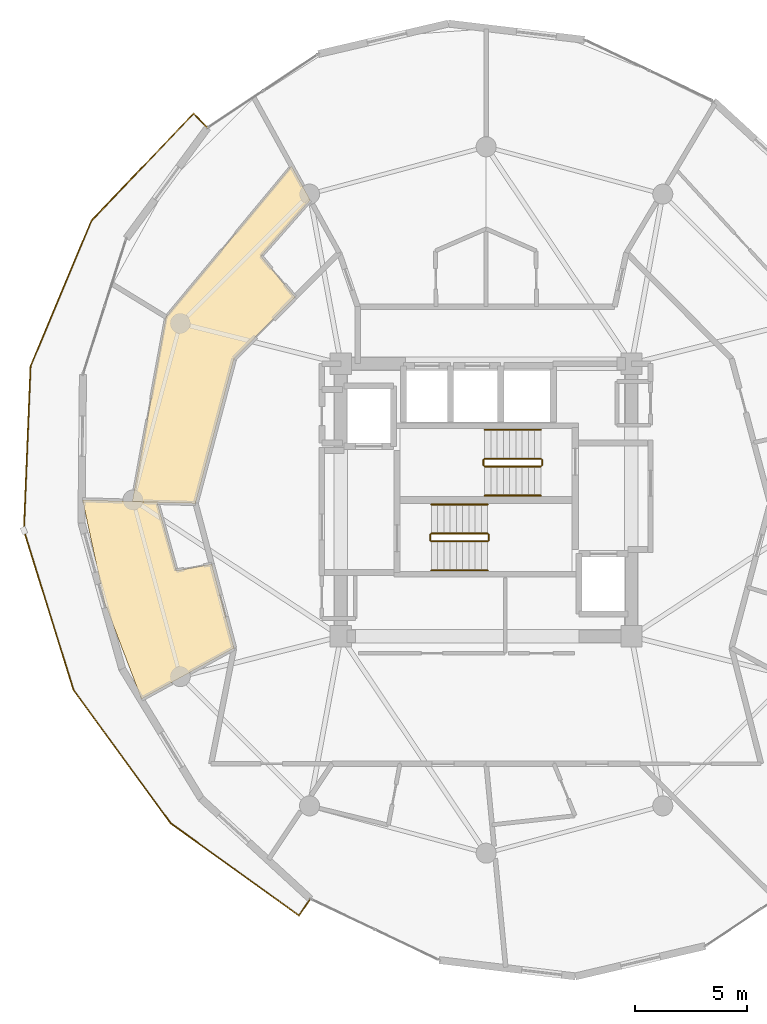
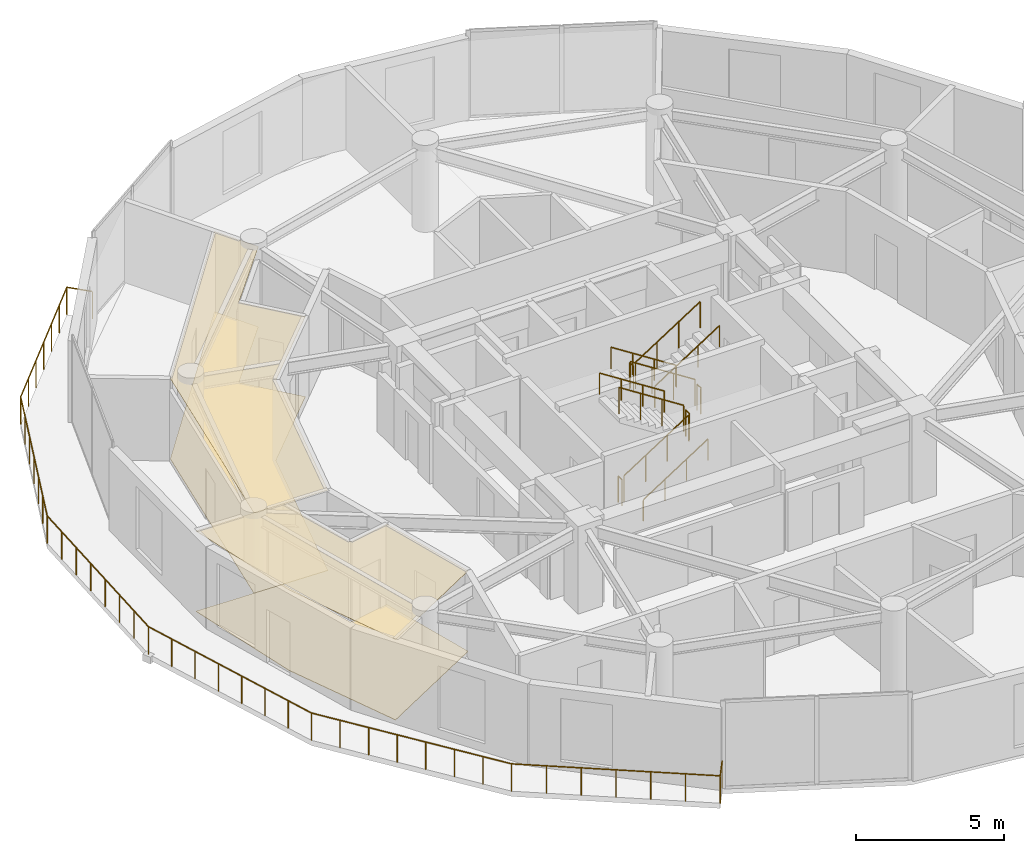
# One storey, part 19 of 20: 13 railings, 4 coverings.
"""IFC4 building model written with IfcOpenShell, lengths in metres."""

from ifc_helpers import new_model, si_unit, direction, frame, origin, origin_2d, place, context, subcontext, project, spatial, polyline, circle, outline, extrude, material, layer, layer_set, type_object, element, save


model = new_model("IFC4")

# Units and contexts
model_context = context("Model", 3, precision=1e-05, world=origin(), true_north=direction((0.0, 1.0)))
body_context = subcontext(model_context, "Body", "Model", "MODEL_VIEW")
ifc_project = project(units=[si_unit("LENGTHUNIT", "METRE"), si_unit("AREAUNIT", "SQUARE_METRE"), si_unit("VOLUMEUNIT", "CUBIC_METRE"), si_unit("PLANEANGLEUNIT", "RADIAN"), si_unit("MASSUNIT", "GRAM", prefix="KILO")], contexts=[model_context])

# Site, building, storey
site_placement = place(None, origin())
site = spatial("IfcSite", under=ifc_project, at=site_placement, CompositionType="ELEMENT")
building_placement = place(site_placement, origin())
building = spatial("IfcBuilding", under=site, at=building_placement, Name="Solvirekh Grand Hotel", CompositionType="ELEMENT")
storey_placement = place(building_placement, frame((0.0, 0.0, 209.199951171875)))
storey = spatial("IfcBuildingStorey", under=building, at=storey_placement, Name="L54", CompositionType="ELEMENT", Elevation=209.199951171875)

# Coverings
ifc_material_1 = material(Name="Acoustic Mineral Ceiling Tile")
ifc_layer_1 = layer(ifc_material_1, 0.02490234375)
ifc_layer_set_1 = layer_set([ifc_layer_1], Name="Acoustic Mineral Ceiling Tile")
covering_type_1 = type_object("IfcCoveringType", Name="Cov_Ceiling_Acoustic", PredefinedType="CEILING", material=ifc_layer_set_1)
covering_1_placement = place(storey_placement, frame((0.0, 0.0, 3.31005859375)))
element("IfcCovering", 1, at=covering_1_placement, inside=storey, type_object=covering_type_1, Name="L54 Executive Suite 5603 Living Room acoustic ceiling", PredefinedType="CEILING", context=body_context, shape_type="SweptSolid", body=[
    extrude(outline(polyline([(-10.076904296875, 10.9130859375), (-7.8701171875, 13.4169921875), (-8.70703125, 14.93994140625), (-14.320068359375, 8.18603515625), (-15.8291015625, -0.06591796875), (-13.0, -0.14990234375), (-11.278076171875, 6.324951171875), (-8.550048828125, 9.073974609375), (-10.076904296875, 10.9130859375)])), origin(), (0.0, 0.0, 1.0), 0.01806640625),
])
covering_2_placement = place(storey_placement, frame((0.0, 0.0, 3.31005859375)))
element("IfcCovering", 2, at=covering_2_placement, inside=storey, type_object=covering_type_1, Name="L54 Deluxe Guestroom 5604 acoustic ceiling", PredefinedType="CEILING", context=body_context, shape_type="SweptSolid", body=[
    extrude(outline(polyline([(-13.864013671875, -3.1640625), (-14.718017578125, -0.09912109375), (-18.052001953125, 0.0), (-17.071044921875, -4.573974609375), (-15.41796875, -8.90087890625), (-11.278076171875, -6.625), (-12.277099609375, -2.868896484375), (-13.864013671875, -3.1640625)])), origin(), (0.0, 0.0, 1.0), 0.01806640625),
])
ifc_material_2 = material(Name="Porcelain Stoneware Flooring", Category="masonry")
ifc_layer_2 = layer(ifc_material_2, 0.030029296875)
ifc_layer_set_2 = layer_set([ifc_layer_2], Name="Porcelain Stoneware Flooring")
covering_type_2 = type_object("IfcCoveringType", Name="Cov_Floor_Stone", PredefinedType="FLOORING", material=ifc_layer_set_2)
covering_3_placement = place(storey_placement, origin())
element("IfcCovering", 3, at=covering_3_placement, inside=storey, type_object=covering_type_2, Name="L54 Executive Suite 5603 Living Room polished granite flooring", PredefinedType="FLOORING", context=body_context, shape_type="SweptSolid", body=[
    extrude(outline(polyline([(-10.076904296875, 10.9130859375), (-7.8701171875, 13.4169921875), (-8.70703125, 14.93994140625), (-14.320068359375, 8.18603515625), (-15.8291015625, -0.06591796875), (-13.0, -0.14990234375), (-11.278076171875, 6.324951171875), (-8.550048828125, 9.073974609375), (-10.076904296875, 10.9130859375)])), origin(), (0.0, 0.0, 1.0), 0.02001953125),
])
covering_4_placement = place(storey_placement, origin())
element("IfcCovering", 4, at=covering_4_placement, inside=storey, type_object=covering_type_2, Name="L54 Deluxe Guestroom 5604 polished granite flooring", PredefinedType="FLOORING", context=body_context, shape_type="SweptSolid", body=[
    extrude(outline(polyline([(-13.864013671875, -3.1640625), (-14.718017578125, -0.09912109375), (-18.052001953125, 0.0), (-17.071044921875, -4.573974609375), (-15.41796875, -8.90087890625), (-11.278076171875, -6.625), (-12.277099609375, -2.868896484375), (-13.864013671875, -3.1640625)])), origin(), (0.0, 0.0, 1.0), 0.02001953125),
])

# Railings
ifc_material_3 = material(Name="Anodized Bronze Aluminium 6063-T6", Category="aluminium")
railing_type_1 = type_object("IfcRailingType", Name="Guard_ExtGlass_1150", PredefinedType="BALUSTRADE", material=ifc_material_3)
railing_1_placement = place(storey_placement, frame((-12.465087890625, 16.64306640625, 0.0)))
element("IfcRailing", 5, at=railing_1_placement, inside=storey, type_object=railing_type_1, Name="L54 balc perimeter glass balustrade", PredefinedType="BALUSTRADE", context=body_context, shape_type="SweptSolid", body=[
    extrude(circle(Radius=0.02392578125, at=origin_2d()), frame((0.0, 0.0, 1.1259765625), z_axis=(-0.693141232376, 0.720801797987, 0.0), x_axis=(-0.720801797987, -0.693141232376, 0.0)), (0.0, 0.0, 1.0), 0.900390625),
    extrude(circle(Radius=0.02392578125, at=origin_2d()), frame((-0.6240234375, 0.64892578125, 1.1259765625), z_axis=(-0.689373649883, -0.724405943409, 0.0), x_axis=(0.724405943409, -0.689373649883, 0.0)), (0.0, 0.0, 1.0), 6.62744140625),
    extrude(circle(Radius=0.02392578125, at=origin_2d()), frame((-5.19287109375, -4.152099609375, 1.1259765625), z_axis=(-0.386165481979, -0.922429520629, 0.0), x_axis=(0.922429520629, -0.386165481979, 0.0)), (0.0, 0.0, 1.0), 7.05419921875),
    extrude(circle(Radius=0.02392578125, at=origin_2d()), frame((-7.9169921875, -10.6591796875, 1.1259765625), z_axis=(-0.040496966442, -0.999179661377, 0.0), x_axis=(0.999179661377, -0.040496966442, 0.0)), (0.0, 0.0, 1.0), 7.35498046875),
    extrude(circle(Radius=0.02392578125, at=origin_2d()), frame((-8.21484375, -18.008056640625, 1.1259765625), z_axis=(0.297134716085, -0.954835567256, 0.0), x_axis=(0.954835567256, 0.297134716085, 0.0)), (0.0, 0.0, 1.0), 7.474609375),
    extrude(circle(Radius=0.02392578125, at=origin_2d()), frame((-5.993896484375, -25.14501953125, 1.1259765625), z_axis=(0.589380955129, -0.807855240579, 0.0), x_axis=(0.807855240579, 0.589380955129, 0.0)), (0.0, 0.0, 1.0), 7.378662109375),
    extrude(circle(Radius=0.02392578125, at=origin_2d()), frame((-1.64501953125, -31.10595703125, 1.1259765625), z_axis=(0.811833695812, -0.583888731134, 0.0), x_axis=(0.583888731134, 0.811833695812, 0.0)), (0.0, 0.0, 1.0), 7.06689453125),
    extrude(circle(Radius=0.02392578125, at=origin_2d()), frame((4.092041015625, -35.232177734375, 1.1259765625), z_axis=(0.561872537153, 0.827223822186, 0.0), x_axis=(-0.827223822186, 0.561872537153, 0.0)), (0.0, 0.0, 1.0), 0.900634765625),
    extrude(circle(Radius=0.02099609375, at=origin_2d()), origin(), (0.0, 0.0, 1.0), 1.101806640625),
    extrude(circle(Radius=0.02099609375, at=origin_2d()), frame((-0.6240234375, 0.64892578125, 0.0)), (0.0, 0.0, 1.0), 1.101806640625),
    extrude(circle(Radius=0.02099609375, at=origin_2d()), frame((-1.385498046875, -0.1513671875, 0.0)), (0.0, 0.0, 1.0), 1.101806640625),
    extrude(circle(Radius=0.02099609375, at=origin_2d()), frame((-2.14697265625, -0.951416015625, 0.0)), (0.0, 0.0, 1.0), 1.101806640625),
    extrude(circle(Radius=0.02099609375, at=origin_2d()), frame((-2.908447265625, -1.75146484375, 0.0)), (0.0, 0.0, 1.0), 1.101806640625),
    extrude(circle(Radius=0.02099609375, at=origin_2d()), frame((-3.669921875, -2.5517578125, 0.0)), (0.0, 0.0, 1.0), 1.101806640625),
    extrude(circle(Radius=0.02099609375, at=origin_2d()), frame((-4.431396484375, -3.35205078125, 0.0)), (0.0, 0.0, 1.0), 1.101806640625),
    extrude(circle(Radius=0.02099609375, at=origin_2d()), frame((-5.19287109375, -4.152099609375, 0.0)), (0.0, 0.0, 1.0), 1.101806640625),
    extrude(circle(Radius=0.02099609375, at=origin_2d()), frame((-5.64697265625, -5.236572265625, 0.0)), (0.0, 0.0, 1.0), 1.101806640625),
    extrude(circle(Radius=0.02099609375, at=origin_2d()), frame((-6.100830078125, -6.321044921875, 0.0)), (0.0, 0.0, 1.0), 1.101806640625),
    extrude(circle(Radius=0.02099609375, at=origin_2d()), frame((-6.554931640625, -7.40576171875, 0.0)), (0.0, 0.0, 1.0), 1.101806640625),
    extrude(circle(Radius=0.02099609375, at=origin_2d()), frame((-7.009033203125, -8.490234375, 0.0)), (0.0, 0.0, 1.0), 1.101806640625),
    extrude(circle(Radius=0.02099609375, at=origin_2d()), frame((-7.462890625, -9.57470703125, 0.0)), (0.0, 0.0, 1.0), 1.101806640625),
    extrude(circle(Radius=0.02099609375, at=origin_2d()), frame((-7.9169921875, -10.6591796875, 0.0)), (0.0, 0.0, 1.0), 1.101806640625),
    extrude(circle(Radius=0.02099609375, at=origin_2d()), frame((-7.95947265625, -11.708984375, 0.0)), (0.0, 0.0, 1.0), 1.101806640625),
    extrude(circle(Radius=0.02099609375, at=origin_2d()), frame((-8.002197265625, -12.7587890625, 0.0)), (0.0, 0.0, 1.0), 1.101806640625),
    extrude(circle(Radius=0.02099609375, at=origin_2d()), frame((-8.044677734375, -13.80859375, 0.0)), (0.0, 0.0, 1.0), 1.101806640625),
    extrude(circle(Radius=0.02099609375, at=origin_2d()), frame((-8.087158203125, -14.858642578125, 0.0)), (0.0, 0.0, 1.0), 1.101806640625),
    extrude(circle(Radius=0.02099609375, at=origin_2d()), frame((-8.129638671875, -15.908447265625, 0.0)), (0.0, 0.0, 1.0), 1.101806640625),
    extrude(circle(Radius=0.02099609375, at=origin_2d()), frame((-8.17236328125, -16.958251953125, 0.0)), (0.0, 0.0, 1.0), 1.101806640625),
    extrude(circle(Radius=0.02099609375, at=origin_2d()), frame((-8.21484375, -18.008056640625, 0.0)), (0.0, 0.0, 1.0), 1.101806640625),
    extrude(circle(Radius=0.02099609375, at=origin_2d()), frame((-7.8974609375, -19.027587890625, 0.0)), (0.0, 0.0, 1.0), 1.101806640625),
    extrude(circle(Radius=0.02099609375, at=origin_2d()), frame((-7.580322265625, -20.047119140625, 0.0)), (0.0, 0.0, 1.0), 1.101806640625),
    extrude(circle(Radius=0.02099609375, at=origin_2d()), frame((-7.262939453125, -21.066650390625, 0.0)), (0.0, 0.0, 1.0), 1.101806640625),
    extrude(circle(Radius=0.02099609375, at=origin_2d()), frame((-6.94580078125, -22.08642578125, 0.0)), (0.0, 0.0, 1.0), 1.101806640625),
    extrude(circle(Radius=0.02099609375, at=origin_2d()), frame((-6.62841796875, -23.10595703125, 0.0)), (0.0, 0.0, 1.0), 1.101806640625),
    extrude(circle(Radius=0.02099609375, at=origin_2d()), frame((-6.311279296875, -24.12548828125, 0.0)), (0.0, 0.0, 1.0), 1.101806640625),
    extrude(circle(Radius=0.02099609375, at=origin_2d()), frame((-5.993896484375, -25.14501953125, 0.0)), (0.0, 0.0, 1.0), 1.101806640625),
    extrude(circle(Radius=0.02099609375, at=origin_2d()), frame((-5.37255859375, -25.99658203125, 0.0)), (0.0, 0.0, 1.0), 1.101806640625),
    extrude(circle(Radius=0.02099609375, at=origin_2d()), frame((-4.75146484375, -26.84814453125, 0.0)), (0.0, 0.0, 1.0), 1.101806640625),
    extrude(circle(Radius=0.02099609375, at=origin_2d()), frame((-4.130126953125, -27.69970703125, 0.0)), (0.0, 0.0, 1.0), 1.101806640625),
    extrude(circle(Radius=0.02099609375, at=origin_2d()), frame((-3.5087890625, -28.55126953125, 0.0)), (0.0, 0.0, 1.0), 1.101806640625),
    extrude(circle(Radius=0.02099609375, at=origin_2d()), frame((-2.887451171875, -29.40283203125, 0.0)), (0.0, 0.0, 1.0), 1.101806640625),
    extrude(circle(Radius=0.02099609375, at=origin_2d()), frame((-2.266357421875, -30.25439453125, 0.0)), (0.0, 0.0, 1.0), 1.101806640625),
    extrude(circle(Radius=0.02099609375, at=origin_2d()), frame((-1.64501953125, -31.10595703125, 0.0)), (0.0, 0.0, 1.0), 1.101806640625),
    extrude(circle(Radius=0.02099609375, at=origin_2d()), frame((-0.68896484375, -31.793701171875, 0.0)), (0.0, 0.0, 1.0), 1.101806640625),
    extrude(circle(Radius=0.02099609375, at=origin_2d()), frame((0.267333984375, -32.4814453125, 0.0)), (0.0, 0.0, 1.0), 1.101806640625),
    extrude(circle(Radius=0.02099609375, at=origin_2d()), frame((1.2236328125, -33.1689453125, 0.0)), (0.0, 0.0, 1.0), 1.101806640625),
    extrude(circle(Radius=0.02099609375, at=origin_2d()), frame((2.1796875, -33.856689453125, 0.0)), (0.0, 0.0, 1.0), 1.101806640625),
    extrude(circle(Radius=0.02099609375, at=origin_2d()), frame((3.1357421875, -34.54443359375, 0.0)), (0.0, 0.0, 1.0), 1.101806640625),
    extrude(circle(Radius=0.02099609375, at=origin_2d()), frame((4.092041015625, -35.232177734375, 0.0)), (0.0, 0.0, 1.0), 1.101806640625),
    extrude(circle(Radius=0.02099609375, at=origin_2d()), frame((4.59814453125, -34.487060546875, 0.0)), (0.0, 0.0, 1.0), 1.101806640625),
])
ifc_material_4 = material(Name="Steel S355", Category="steel")
railing_type_2 = type_object("IfcRailingType", Name="Guard_Stair_1100", PredefinedType="GUARDRAIL", material=ifc_material_4)
railing_2_placement = place(storey_placement, frame((-2.449951171875, -1.85009765625, 0.179931640625)))
element("IfcRailing", 6, at=railing_2_placement, inside=storey, type_object=railing_type_2, Name="L54 ST-1 stair guard 1", PredefinedType="GUARDRAIL", context=body_context, shape_type="SweptSolid", body=[
    extrude(circle(Radius=0.02392578125, at=origin_2d()), frame((0.0, 0.0, 1.076171875), z_axis=(0.841162588446, 0.0, 0.540782303519), x_axis=(0.0, 1.0, 0.0)), (0.0, 0.0, 1.0), 2.995849609375),
    extrude(circle(Radius=0.02099609375, at=origin_2d()), origin(), (0.0, 0.0, 1.0), 1.052001953125),
    extrude(circle(Radius=0.02099609375, at=origin_2d()), frame((0.840087890625, 0.0, 0.5400390625)), (0.0, 0.0, 1.0), 1.052001953125),
    extrude(circle(Radius=0.02099609375, at=origin_2d()), frame((1.679931640625, 0.0, 1.080078125)), (0.0, 0.0, 1.0), 1.052001953125),
    extrude(circle(Radius=0.02099609375, at=origin_2d()), frame((2.52001953125, 0.0, 1.6201171875)), (0.0, 0.0, 1.0), 1.052001953125),
])
railing_3_placement = place(storey_placement, frame((0.1201171875, -1.800048828125, 1.800048828125)))
element("IfcRailing", 7, at=railing_3_placement, inside=storey, type_object=railing_type_2, Name="L54 ST-1 stair guard 2", PredefinedType="GUARDRAIL", context=body_context, shape_type="SweptSolid", body=[
    extrude(circle(Radius=0.02392578125, at=origin_2d()), frame((0.0, 0.0, 1.076171875), z_axis=(0.0, 1.0, 0.0), x_axis=(-1.0, 0.0, 0.0)), (0.0, 0.0, 1.0), 0.25),
    extrude(circle(Radius=0.02099609375, at=origin_2d()), origin(), (0.0, 0.0, 1.0), 1.052001953125),
    extrude(circle(Radius=0.02099609375, at=origin_2d()), frame((0.0, 0.25, 0.0)), (0.0, 0.0, 1.0), 1.052001953125),
])
railing_4_placement = place(storey_placement, frame((0.070068359375, -1.5, 1.97998046875)))
element("IfcRailing", 8, at=railing_4_placement, inside=storey, type_object=railing_type_2, Name="L54 ST-1 stair guard 3", PredefinedType="GUARDRAIL", context=body_context, shape_type="SweptSolid", body=[
    extrude(circle(Radius=0.02392578125, at=origin_2d()), frame((0.0, 0.0, 1.076171875), z_axis=(-0.841162588446, 0.0, 0.540782303519), x_axis=(0.0, -1.0, 0.0)), (0.0, 0.0, 1.0), 2.995849609375),
    extrude(circle(Radius=0.02099609375, at=origin_2d()), origin(), (0.0, 0.0, 1.0), 1.052001953125),
    extrude(circle(Radius=0.02099609375, at=origin_2d()), frame((-0.840087890625, 0.0, 0.5400390625)), (0.0, 0.0, 1.0), 1.052001953125),
    extrude(circle(Radius=0.02099609375, at=origin_2d()), frame((-1.679931640625, 0.0, 1.080078125)), (0.0, 0.0, 1.0), 1.052001953125),
    extrude(circle(Radius=0.02099609375, at=origin_2d()), frame((-2.52001953125, 0.0, 1.6201171875)), (0.0, 0.0, 1.0), 1.052001953125),
])
railing_5_placement = place(storey_placement, frame((-2.5, -1.800048828125, 0.0)))
element("IfcRailing", 9, at=railing_5_placement, inside=storey, type_object=railing_type_2, Name="L54 ST-1 stair guard 4", PredefinedType="GUARDRAIL", context=body_context, shape_type="SweptSolid", body=[
    extrude(circle(Radius=0.02392578125, at=origin_2d()), frame((0.0, 0.0, 1.076171875), z_axis=(0.0, 1.0, 0.0), x_axis=(-1.0, 0.0, 0.0)), (0.0, 0.0, 1.0), 0.25),
    extrude(circle(Radius=0.02099609375, at=origin_2d()), origin(), (0.0, 0.0, 1.0), 1.052001953125),
    extrude(circle(Radius=0.02099609375, at=origin_2d()), frame((0.0, 0.25, 0.0)), (0.0, 0.0, 1.0), 1.052001953125),
])
railing_6_placement = place(storey_placement, frame((2.449951171875, 1.85009765625, 0.179931640625)))
element("IfcRailing", 10, at=railing_6_placement, inside=storey, type_object=railing_type_2, Name="L54 ST-2 stair guard 1", PredefinedType="GUARDRAIL", context=body_context, shape_type="SweptSolid", body=[
    extrude(circle(Radius=0.02392578125, at=origin_2d()), frame((0.0, 0.0, 1.076171875), z_axis=(-0.841162588446, 0.0, 0.540782303519), x_axis=(0.0, -1.0, 0.0)), (0.0, 0.0, 1.0), 2.995849609375),
    extrude(circle(Radius=0.02099609375, at=origin_2d()), origin(), (0.0, 0.0, 1.0), 1.052001953125),
    extrude(circle(Radius=0.02099609375, at=origin_2d()), frame((-0.840087890625, 0.0, 0.5400390625)), (0.0, 0.0, 1.0), 1.052001953125),
    extrude(circle(Radius=0.02099609375, at=origin_2d()), frame((-1.679931640625, 0.0, 1.080078125)), (0.0, 0.0, 1.0), 1.052001953125),
    extrude(circle(Radius=0.02099609375, at=origin_2d()), frame((-2.52001953125, 0.0, 1.6201171875)), (0.0, 0.0, 1.0), 1.052001953125),
])
railing_7_placement = place(storey_placement, frame((-0.1201171875, 1.800048828125, 1.800048828125)))
element("IfcRailing", 11, at=railing_7_placement, inside=storey, type_object=railing_type_2, Name="L54 ST-2 stair guard 2", PredefinedType="GUARDRAIL", context=body_context, shape_type="SweptSolid", body=[
    extrude(circle(Radius=0.02392578125, at=origin_2d()), frame((0.0, 0.0, 1.076171875), z_axis=(0.0, -1.0, 0.0), x_axis=(1.0, 0.0, 0.0)), (0.0, 0.0, 1.0), 0.25),
    extrude(circle(Radius=0.02099609375, at=origin_2d()), origin(), (0.0, 0.0, 1.0), 1.052001953125),
    extrude(circle(Radius=0.02099609375, at=origin_2d()), frame((0.0, -0.25, 0.0)), (0.0, 0.0, 1.0), 1.052001953125),
])
railing_8_placement = place(storey_placement, frame((-0.070068359375, 1.5, 1.97998046875)))
element("IfcRailing", 12, at=railing_8_placement, inside=storey, type_object=railing_type_2, Name="L54 ST-2 stair guard 3", PredefinedType="GUARDRAIL", context=body_context, shape_type="SweptSolid", body=[
    extrude(circle(Radius=0.02392578125, at=origin_2d()), frame((0.0, 0.0, 1.076171875), z_axis=(0.841162588446, 0.0, 0.540782303519), x_axis=(0.0, 1.0, 0.0)), (0.0, 0.0, 1.0), 2.995849609375),
    extrude(circle(Radius=0.02099609375, at=origin_2d()), origin(), (0.0, 0.0, 1.0), 1.052001953125),
    extrude(circle(Radius=0.02099609375, at=origin_2d()), frame((0.840087890625, 0.0, 0.5400390625)), (0.0, 0.0, 1.0), 1.052001953125),
    extrude(circle(Radius=0.02099609375, at=origin_2d()), frame((1.679931640625, 0.0, 1.080078125)), (0.0, 0.0, 1.0), 1.052001953125),
    extrude(circle(Radius=0.02099609375, at=origin_2d()), frame((2.52001953125, 0.0, 1.6201171875)), (0.0, 0.0, 1.0), 1.052001953125),
])
railing_9_placement = place(storey_placement, frame((2.5, 1.800048828125, 0.0)))
element("IfcRailing", 13, at=railing_9_placement, inside=storey, type_object=railing_type_2, Name="L54 ST-2 stair guard 4", PredefinedType="GUARDRAIL", context=body_context, shape_type="SweptSolid", body=[
    extrude(circle(Radius=0.02392578125, at=origin_2d()), frame((0.0, 0.0, 1.076171875), z_axis=(0.0, -1.0, 0.0), x_axis=(1.0, 0.0, 0.0)), (0.0, 0.0, 1.0), 0.25),
    extrude(circle(Radius=0.02099609375, at=origin_2d()), origin(), (0.0, 0.0, 1.0), 1.052001953125),
    extrude(circle(Radius=0.02099609375, at=origin_2d()), frame((0.0, -0.25, 0.0)), (0.0, 0.0, 1.0), 1.052001953125),
])
railing_type_3 = type_object("IfcRailingType", Name="Handrail_Wall_900", PredefinedType="HANDRAIL", material=ifc_material_3)
railing_10_placement = place(storey_placement, frame((-2.449951171875, -3.14990234375, 0.179931640625)))
element("IfcRailing", 14, at=railing_10_placement, inside=storey, type_object=railing_type_3, Name="L54 ST-1 stair handrail 1", PredefinedType="HANDRAIL", context=body_context, shape_type="SweptSolid", body=[
    extrude(circle(Radius=0.02392578125, at=origin_2d()), frame((0.0, 0.0, 0.8759765625), z_axis=(0.841162588446, 0.0, 0.540782303519), x_axis=(0.0, 1.0, 0.0)), (0.0, 0.0, 1.0), 2.995849609375),
    extrude(circle(Radius=0.02099609375, at=origin_2d()), origin(), (0.0, 0.0, 1.0), 0.851806640625),
    extrude(circle(Radius=0.02099609375, at=origin_2d()), frame((0.840087890625, 0.0, 0.5400390625)), (0.0, 0.0, 1.0), 0.851806640625),
    extrude(circle(Radius=0.02099609375, at=origin_2d()), frame((1.679931640625, 0.0, 1.080078125)), (0.0, 0.0, 1.0), 0.851806640625),
    extrude(circle(Radius=0.02099609375, at=origin_2d()), frame((2.52001953125, 0.0, 1.6201171875)), (0.0, 0.0, 1.0), 0.851806640625),
])
for number, where, name in (
    (15, (0.070068359375, -0.199951171875, 1.97998046875), "L54 ST-1 stair handrail 2"),
    (16, (2.449951171875, 3.14990234375, 0.179931640625), "L54 ST-2 stair handrail 1"),
):
    element("IfcRailing", number, at=place(storey_placement, frame(where)), inside=storey, type_object=railing_type_3, Name=name, PredefinedType="HANDRAIL", context=body_context, shape_type="SweptSolid", body=[
        extrude(circle(Radius=0.02392578125, at=origin_2d()), frame((0.0, 0.0, 0.8759765625), z_axis=(-0.841162588446, 0.0, 0.540782303519), x_axis=(0.0, -1.0, 0.0)), (0.0, 0.0, 1.0), 2.995849609375),
        extrude(circle(Radius=0.02099609375, at=origin_2d()), origin(), (0.0, 0.0, 1.0), 0.851806640625),
        extrude(circle(Radius=0.02099609375, at=origin_2d()), frame((-0.840087890625, 0.0, 0.5400390625)), (0.0, 0.0, 1.0), 0.851806640625),
        extrude(circle(Radius=0.02099609375, at=origin_2d()), frame((-1.679931640625, 0.0, 1.080078125)), (0.0, 0.0, 1.0), 0.851806640625),
        extrude(circle(Radius=0.02099609375, at=origin_2d()), frame((-2.52001953125, 0.0, 1.6201171875)), (0.0, 0.0, 1.0), 0.851806640625),
    ])
railing_11_placement = place(storey_placement, frame((-0.070068359375, 0.199951171875, 1.97998046875)))
element("IfcRailing", 17, at=railing_11_placement, inside=storey, type_object=railing_type_3, Name="L54 ST-2 stair handrail 2", PredefinedType="HANDRAIL", context=body_context, shape_type="SweptSolid", body=[
    extrude(circle(Radius=0.02392578125, at=origin_2d()), frame((0.0, 0.0, 0.8759765625), z_axis=(0.841162588446, 0.0, 0.540782303519), x_axis=(0.0, 1.0, 0.0)), (0.0, 0.0, 1.0), 2.995849609375),
    extrude(circle(Radius=0.02099609375, at=origin_2d()), origin(), (0.0, 0.0, 1.0), 0.851806640625),
    extrude(circle(Radius=0.02099609375, at=origin_2d()), frame((0.840087890625, 0.0, 0.5400390625)), (0.0, 0.0, 1.0), 0.851806640625),
    extrude(circle(Radius=0.02099609375, at=origin_2d()), frame((1.679931640625, 0.0, 1.080078125)), (0.0, 0.0, 1.0), 0.851806640625),
    extrude(circle(Radius=0.02099609375, at=origin_2d()), frame((2.52001953125, 0.0, 1.6201171875)), (0.0, 0.0, 1.0), 0.851806640625),
])

save(model, "model.ifc")
